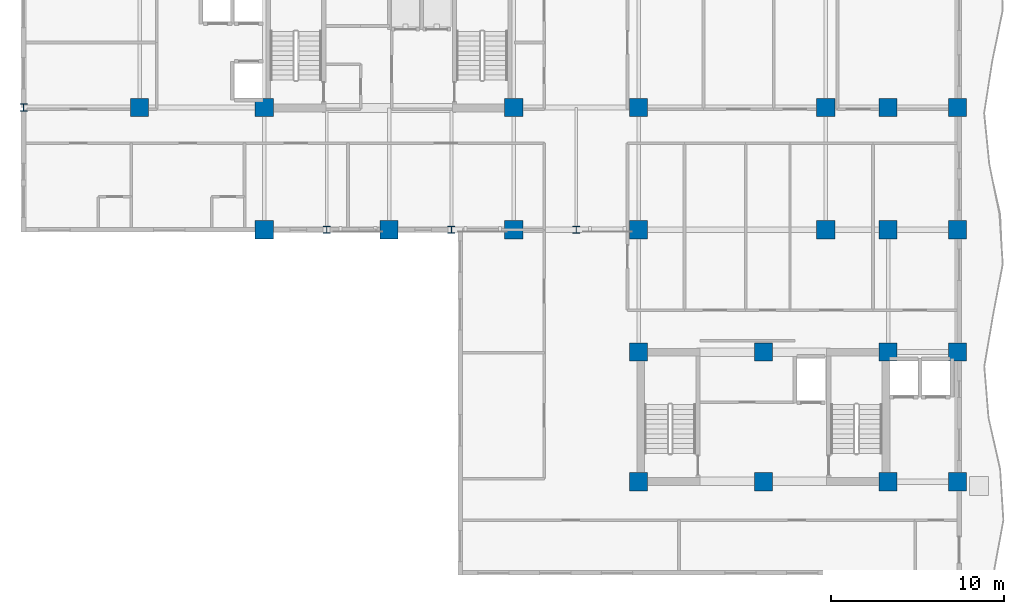
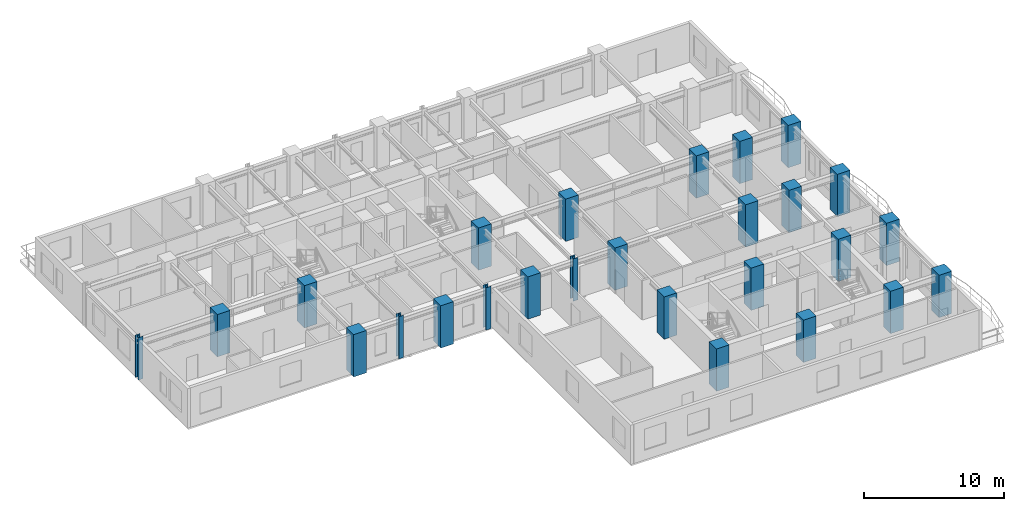
# One storey, part 1 of 14: 26 columns.
"""IFC4 building model written with IfcOpenShell, lengths in metres."""

from ifc_helpers import new_model, si_unit, direction, frame, origin, origin_2d, place, context, subcontext, project, spatial, rectangle, i_section, extrude, source, transform, mapped, material, material_profile, profile_set, type_object, element, save


model = new_model("IFC4")

# Units and contexts
model_context = context("Model", 3, precision=1e-05, world=origin(), true_north=direction((0.0, 1.0)))
body_context = subcontext(model_context, "Body", "Model", "MODEL_VIEW")
ifc_project = project(units=[si_unit("LENGTHUNIT", "METRE"), si_unit("AREAUNIT", "SQUARE_METRE"), si_unit("VOLUMEUNIT", "CUBIC_METRE"), si_unit("PLANEANGLEUNIT", "RADIAN"), si_unit("MASSUNIT", "GRAM", prefix="KILO")], contexts=[model_context])

# Site, building, storey
site_placement = place(None, origin())
site = spatial("IfcSite", under=ifc_project, at=site_placement, CompositionType="ELEMENT")
building_placement = place(site_placement, origin())
building = spatial("IfcBuilding", under=site, at=building_placement, Name="Kaliganga Portal Commons", CompositionType="ELEMENT")
storey_placement = place(building_placement, frame((0.0, 0.0, 151.300048828125)))
storey = spatial("IfcBuildingStorey", under=building, at=storey_placement, Name="L38", CompositionType="ELEMENT", Elevation=151.300048828125)

# Columns
ifc_material_1 = material(Name="Concrete C60/75", Category="concrete")
ifc_material_profile_1 = material_profile(ifc_material_1, rectangle(XDim=1.050048828125, YDim=1.050048828125, at=origin_2d()), Name="RC 1050x1050")
ifc_profile_set_1 = profile_set([ifc_material_profile_1], Name="Concrete C60/75")
column_type_1 = type_object("IfcColumnType", Name="COL-MEGA-Z3", PredefinedType="COLUMN", material=ifc_profile_set_1)
shared_shape_1 = source(origin(), body_context, "Body", "SweptSolid", [
    extrude(rectangle(XDim=1.050048828125, YDim=1.050048828125, at=origin_2d()), origin(), (0.0, 0.0, 1.0), 3.699951171875),
])
for number, where, z_axis, x_axis, name in (
    (1, (7.199951171875, 28.64990234375, 0.0), (0.0, 0.0, 1.0), (1.0, 0.0, 0.0), "Column MC-04 L38"),
    (2, (14.39990234375, 21.60009765625, 0.0), (0.0, 0.0, 1.0), (1.0, 0.0, 0.0), "Column MC-04 L38"),
    (3, (14.39990234375, 28.64990234375, 0.0), (0.0, 0.0, 1.0), (1.0, 0.0, 0.0), "Column MC-04 L38"),
    (4, (21.60009765625, 21.60009765625, 0.0), (0.0, 0.0, 1.0), (1.0, 0.0, 0.0), "Column MC-04 L38"),
    (5, (28.800048828125, 21.60009765625, 0.0), (0.0, 0.0, 1.0), (1.0, 0.0, 0.0), "Column MC-04 L38"),
    (6, (28.800048828125, 28.64990234375, 0.0), (0.0, 0.0, 1.0), (1.0, 0.0, 0.0), "Column MC-04 L38"),
    (7, (36.0, 21.60009765625, 0.0), (0.0, 0.0, 1.0), (1.0, 0.0, 0.0), "Column MC-04 L38"),
    (8, (36.0, 28.64990234375, 0.0), (0.0, 0.0, 1.0), (1.0, 0.0, 0.0), "Column MC-04 L38"),
    (9, (46.800048828125, 21.60009765625, 0.0), (0.0, 0.0, 1.0), (1.0, 0.0, 0.0), "Column MC-04 L38"),
    (10, (46.800048828125, 28.64990234375, 0.0), (0.0, 0.0, 1.0), (1.0, 0.0, 0.0), "Column MC-04 L38"),
    (11, (36.0, 7.050048828125, 0.0), (0.0, 0.0, 1.0), (1.0, 0.0, 0.0), "Column MC-04 L38"),
    (12, (36.0, 14.550048828125, 0.0), (0.0, 0.0, 1.0), (1.0, 0.0, 0.0), "Column MC-04 L38"),
    (13, (43.199951171875, 7.050048828125, 0.0), (0.0, 0.0, 1.0), (1.0, 0.0, 0.0), "Column MC-04 L38"),
    (14, (43.199951171875, 14.550048828125, 0.0), (0.0, 0.0, 1.0), (1.0, 0.0, 0.0), "Column MC-04 L38"),
    (15, (50.39990234375, 7.050048828125, 0.0), (0.0, 0.0, 1.0), (1.0, 0.0, 0.0), "Column MC-04 L38"),
    (16, (50.39990234375, 14.550048828125, 0.0), (0.0, 0.0, 1.0), (1.0, 0.0, 0.0), "Column MC-04 L38"),
    (17, (50.39990234375, 21.60009765625, 0.0), (0.0, 0.0, 1.0), (1.0, 0.0, 0.0), "Column MC-04 L38"),
    (18, (50.39990234375, 28.64990234375, 0.0), (0.0, 0.0, 1.0), (1.0, 0.0, 0.0), "Column MC-04 L38"),
    (19, (54.39990234375, 7.050048828125, 0.0), (0.0, 0.0, 1.0), (1.0, 0.0, 0.0), "Column MC-04 L38"),
    (20, (54.39990234375, 14.550048828125, 0.0), (0.0, 0.0, 1.0), (1.0, 0.0, 0.0), "Column MC-04 L38"),
    (21, (54.39990234375, 21.60009765625, 0.0), (0.0, 0.0, 1.0), (1.0, 0.0, 0.0), "Column MC-04 L38"),
    (22, (54.39990234375, 28.64990234375, 0.0), (0.0, 0.0, 1.0), (1.0, 0.0, 0.0), "Column MC-04 L38"),
):
    element("IfcColumn", number, at=place(storey_placement, frame(where, z_axis=z_axis, x_axis=x_axis)), inside=storey, type_object=column_type_1, Name=name, PredefinedType="COLUMN", context=body_context, shape_type="MappedRepresentation", body=[
        mapped(shared_shape_1, transform((0.0, 0.0, 0.0), x_axis=(1.0, 0.0, 0.0), y_axis=(0.0, 1.0, 0.0), z_axis=(0.0, 0.0, 1.0), scale=1.0)),
    ])
ifc_material_2 = material(Name="Structural steel S460M", Category="steel")
ifc_material_profile_2 = material_profile(ifc_material_2, i_section(OverallWidth=0.404052734375, OverallDepth=0.4140625, WebThickness=0.0205078125, FlangeThickness=0.028076171875, FilletRadius=0.014892578125, at=origin_2d()), Name="HD 400x347")
ifc_profile_set_2 = profile_set([ifc_material_profile_2], Name="Structural steel S460M wide-flange")
column_type_2 = type_object("IfcColumnType", Name="COL-TUBE-B3", PredefinedType="COLUMN", material=ifc_profile_set_2)
shared_shape_2 = source(origin(), body_context, "Body", "SweptSolid", [
    extrude(i_section(OverallWidth=0.404052734375, OverallDepth=0.4140625, WebThickness=0.0205078125, FlangeThickness=0.028076171875, FilletRadius=0.014892578125, at=origin_2d()), origin(), (0.0, 0.0, 1.0), 3.699951171875),
])
for number, where, z_axis, x_axis, name in (
    (23, (0.5, 28.64990234375, 0.0), (0.0, 0.0, 1.0), (1.0, 0.0, 0.0), "Column TC-03 L38"),
    (24, (18.0, 21.60009765625, 0.0), (0.0, 0.0, 1.0), (1.0, 0.0, 0.0), "Column TC-03 L38"),
    (25, (25.199951171875, 21.60009765625, 0.0), (0.0, 0.0, 1.0), (1.0, 0.0, 0.0), "Column TC-03 L38"),
    (26, (32.39990234375, 21.60009765625, 0.0), (0.0, 0.0, 1.0), (1.0, 0.0, 0.0), "Column TC-03 L38"),
):
    element("IfcColumn", number, at=place(storey_placement, frame(where, z_axis=z_axis, x_axis=x_axis)), inside=storey, type_object=column_type_2, Name=name, PredefinedType="COLUMN", context=body_context, shape_type="MappedRepresentation", body=[
        mapped(shared_shape_2, transform((0.0, 0.0, 0.0), x_axis=(1.0, 0.0, 0.0), y_axis=(0.0, 1.0, 0.0), z_axis=(0.0, 0.0, 1.0), scale=1.0)),
    ])

save(model, "model.ifc")
